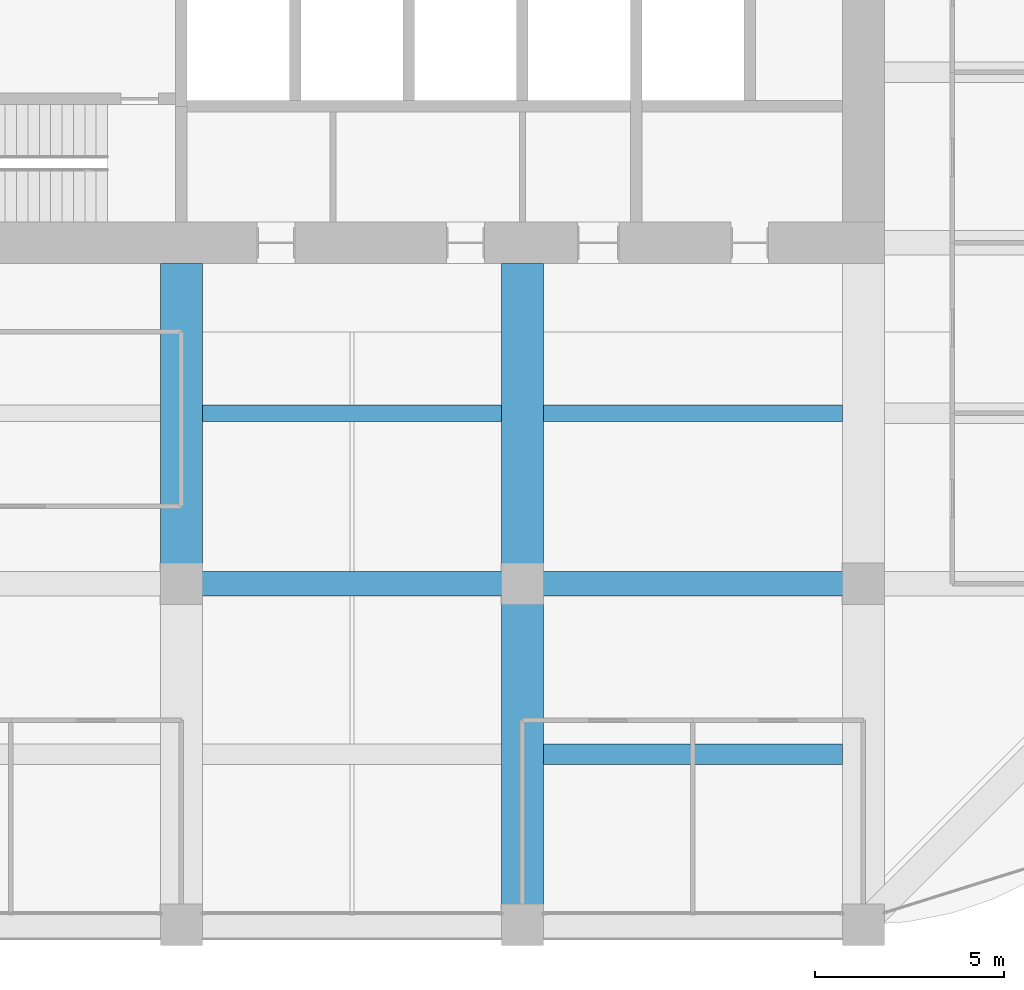
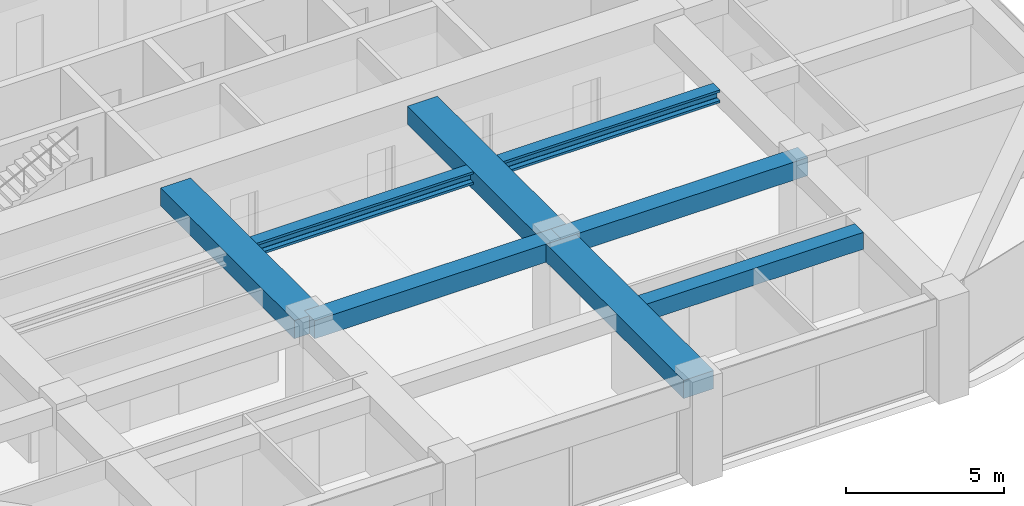
# One storey, part 12 of 44: 8 beams.
"""IFC4 building model written with IfcOpenShell, lengths in metres."""

from ifc_helpers import new_model, si_unit, direction, frame, origin, origin_2d, place, context, subcontext, project, spatial, rectangle, i_section, extrude, material, material_profile, profile_set, type_object, element, save


model = new_model("IFC4")

# Units and contexts
model_context = context("Model", 3, precision=1e-05, world=origin(), true_north=direction((0.0, 1.0)))
body_context = subcontext(model_context, "Body", "Model", "MODEL_VIEW")
ifc_project = project(units=[si_unit("LENGTHUNIT", "METRE"), si_unit("AREAUNIT", "SQUARE_METRE"), si_unit("VOLUMEUNIT", "CUBIC_METRE"), si_unit("PLANEANGLEUNIT", "RADIAN"), si_unit("MASSUNIT", "GRAM", prefix="KILO")], contexts=[model_context])

# Site, building, storey
site_placement = place(None, origin())
site = spatial("IfcSite", under=ifc_project, at=site_placement, CompositionType="ELEMENT")
building_placement = place(site_placement, origin())
building = spatial("IfcBuilding", under=site, at=building_placement, Name="Zorevar Civic Tower", CompositionType="ELEMENT")
storey_placement = place(building_placement, frame((0.0, 0.0, 259.39990234375)))
storey = spatial("IfcBuildingStorey", under=building, at=storey_placement, Name="L63", CompositionType="ELEMENT", Elevation=259.39990234375)

# Beams
ifc_material_1 = material(Name="Concrete C50/60", Category="concrete")
ifc_material_profile_1 = material_profile(ifc_material_1, rectangle(XDim=1.10009765625, YDim=0.699951171875, at=origin_2d()), Name="RC 1100x700")
ifc_profile_set_1 = profile_set([ifc_material_profile_1], Name="Concrete C50/60")
beam_type_1 = type_object("IfcBeamType", Name="Beam RC 1100x700", PredefinedType="BEAM", material=ifc_profile_set_1)
beam_1_placement = place(storey_placement, frame((27.0, 9.0, 3.400146484375), z_axis=(0.0, 1.0, 0.0), x_axis=(-1.0, 0.0, 0.0)))
element("IfcBeam", 1, at=beam_1_placement, inside=storey, type_object=beam_type_1, Name="Girder L64", PredefinedType="BEAM", context=body_context, shape_type="SweptSolid", body=[
    extrude(rectangle(XDim=1.10009765625, YDim=0.699951171875, at=origin_2d()), origin(), (0.0, 0.0, 1.0), 8.449951171875),
])
beam_2_placement = place(storey_placement, frame((36.0, 0.0, 3.400146484375), z_axis=(0.0, 1.0, 0.0), x_axis=(-1.0, 0.0, 0.0)))
element("IfcBeam", 2, at=beam_2_placement, inside=storey, type_object=beam_type_1, Name="Girder L64", PredefinedType="BEAM", context=body_context, shape_type="SweptSolid", body=[
    extrude(rectangle(XDim=1.10009765625, YDim=0.699951171875, at=origin_2d()), origin(), (0.0, 0.0, 1.0), 9.0),
])
beam_3_placement = place(storey_placement, frame((36.0, 9.0, 3.400146484375), z_axis=(0.0, 1.0, 0.0), x_axis=(-1.0, 0.0, 0.0)))
element("IfcBeam", 3, at=beam_3_placement, inside=storey, type_object=beam_type_1, Name="Girder L64", PredefinedType="BEAM", context=body_context, shape_type="SweptSolid", body=[
    extrude(rectangle(XDim=1.10009765625, YDim=0.699951171875, at=origin_2d()), origin(), (0.0, 0.0, 1.0), 8.449951171875),
])
ifc_material_2 = material(Name="Concrete C50/60", Category="concrete")
ifc_material_profile_2 = material_profile(ifc_material_2, rectangle(XDim=0.550048828125, YDim=0.64990234375, at=origin_2d()), Name="RC 550x650")
ifc_profile_set_2 = profile_set([ifc_material_profile_2], Name="Concrete C50/60")
beam_type_2 = type_object("IfcBeamType", Name="Beam RC 550x650", PredefinedType="BEAM", material=ifc_profile_set_2)
beam_4_placement = place(storey_placement, frame((36.550048828125, 4.5, 3.425048828125), z_axis=(1.0, 0.0, 0.0), x_axis=(0.0, 1.0, 0.0)))
element("IfcBeam", 4, at=beam_4_placement, inside=storey, type_object=beam_type_2, Name="Secondary beam L64", PredefinedType="BEAM", context=body_context, shape_type="SweptSolid", body=[
    extrude(rectangle(XDim=0.550048828125, YDim=0.64990234375, at=origin_2d()), origin(), (0.0, 0.0, 1.0), 7.89990234375),
])
ifc_material_3 = material(Name="Concrete C50/60", Category="concrete")
ifc_material_profile_3 = material_profile(ifc_material_3, rectangle(XDim=0.64990234375, YDim=0.699951171875, at=origin_2d()), Name="RC 650x700")
ifc_profile_set_3 = profile_set([ifc_material_profile_3], Name="Concrete C50/60")
beam_type_3 = type_object("IfcBeamType", Name="Beam RC 650x700", PredefinedType="BEAM", material=ifc_profile_set_3)
for number, where, z_axis, x_axis, name in (
    (5, (27.0, 9.0, 3.400146484375), (1.0, 0.0, 0.0), (0.0, 1.0, 0.0), "Girder L64"),
    (6, (36.0, 9.0, 3.400146484375), (1.0, 0.0, 0.0), (0.0, 1.0, 0.0), "Girder L64"),
):
    element("IfcBeam", number, at=place(storey_placement, frame(where, z_axis=z_axis, x_axis=x_axis)), inside=storey, type_object=beam_type_3, Name=name, PredefinedType="BEAM", context=body_context, shape_type="SweptSolid", body=[
        extrude(rectangle(XDim=0.64990234375, YDim=0.699951171875, at=origin_2d()), origin(), (0.0, 0.0, 1.0), 9.0),
    ])
ifc_material_4 = material(Name="Steel S460M (HISTAR 460)", Category="steel")
ifc_material_profile_4 = material_profile(ifc_material_4, i_section(OverallWidth=0.431884765625, OverallDepth=0.498046875, WebThickness=0.0556640625, FlangeThickness=0.0888671875, FilletRadius=0.014892578125, at=origin_2d()), Name="HD 400x744")
ifc_profile_set_4 = profile_set([ifc_material_profile_4], Name="Steel S460M (HISTAR 460)")
beam_type_4 = type_object("IfcBeamType", Name="Core bay beam HD 400x744", PredefinedType="BEAM", material=ifc_profile_set_4)
for number, where, z_axis, x_axis, name in (
    (7, (27.550048828125, 13.5, 3.5009765625), (1.0, 0.0, 0.0), (0.0, 1.0, 0.0), "Secondary beam L64"),
    (8, (36.550048828125, 13.5, 3.5009765625), (1.0, 0.0, 0.0), (0.0, 1.0, 0.0), "Secondary beam L64"),
):
    element("IfcBeam", number, at=place(storey_placement, frame(where, z_axis=z_axis, x_axis=x_axis)), inside=storey, type_object=beam_type_4, Name=name, PredefinedType="BEAM", context=body_context, shape_type="SweptSolid", body=[
        extrude(i_section(OverallWidth=0.431884765625, OverallDepth=0.498046875, WebThickness=0.0556640625, FlangeThickness=0.0888671875, FilletRadius=0.014892578125, at=origin_2d()), origin(), (0.0, 0.0, 1.0), 7.89990234375),
    ])

save(model, "model.ifc")
